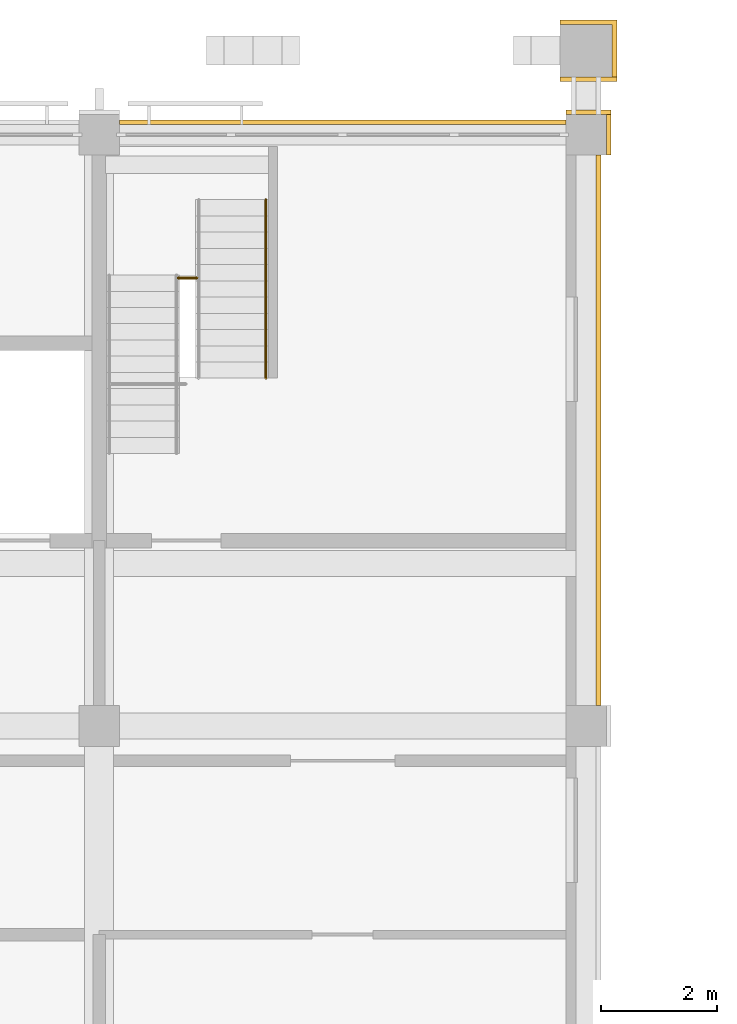
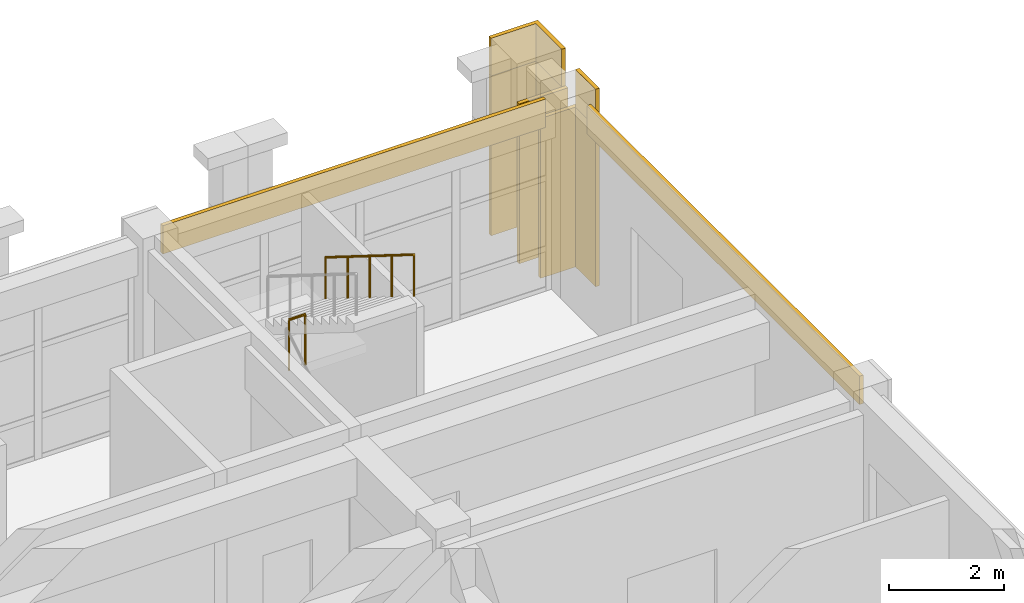
# One storey, part 95 of 99: 6 coverings, 2 railings.
"""IFC4 building model written with IfcOpenShell, lengths in metres."""

from ifc_helpers import new_model, si_unit, direction, frame, origin, origin_2d, place, context, subcontext, project, spatial, polyline, circle, outline, extrude, material, layer, layer_set, type_object, element, save


model = new_model("IFC4")

# Units and contexts
model_context = context("Model", 3, precision=1e-05, world=origin(), true_north=direction((0.0, 1.0)))
body_context = subcontext(model_context, "Body", "Model", "MODEL_VIEW")
ifc_project = project(units=[si_unit("LENGTHUNIT", "METRE"), si_unit("AREAUNIT", "SQUARE_METRE"), si_unit("VOLUMEUNIT", "CUBIC_METRE"), si_unit("PLANEANGLEUNIT", "RADIAN"), si_unit("MASSUNIT", "GRAM", prefix="KILO")], contexts=[model_context])

# Site, building, storey
site_placement = place(None, origin())
site = spatial("IfcSite", under=ifc_project, at=site_placement, CompositionType="ELEMENT")
building_placement = place(site_placement, origin())
building = spatial("IfcBuilding", under=site, at=building_placement, Name="Wasatch Bagh Community Centre", CompositionType="ELEMENT")
storey_placement = place(building_placement, frame((0.0, 0.0, 4.199951171875)))
storey = spatial("IfcBuildingStorey", under=building, at=storey_placement, Name="L01", CompositionType="ELEMENT", Elevation=4.199951171875)

# Coverings
ifc_material_1 = material(Name="Cast stone cladding", Category="masonry")
ifc_layer_1 = layer(ifc_material_1, 0.080078125)
ifc_layer_set_1 = layer_set([ifc_layer_1], Name="Cast stone cladding")
covering_type_1 = type_object("IfcCoveringType", Name="CL-B7 beam facing", PredefinedType="CLADDING", material=ifc_layer_set_1)
covering_1_placement = place(storey_placement, frame((0.0, 0.0, 3.320068359375)))
element("IfcCovering", 1, at=covering_1_placement, inside=storey, type_object=covering_type_1, Name="Beam facing", PredefinedType="CLADDING", context=body_context, shape_type="SweptSolid", body=[
    extrude(outline(polyline([(131.550048828125, 97.97509765625), (139.25, 97.97509765625), (139.25, 98.054931640625), (131.550048828125, 98.054931640625), (131.550048828125, 97.97509765625)])), origin(), (0.0, 0.0, 1.0), 0.60009765625),
])
covering_2_placement = place(storey_placement, frame((0.0, 0.0, 3.320068359375)))
element("IfcCovering", 2, at=covering_2_placement, inside=storey, type_object=covering_type_1, Name="Beam facing", PredefinedType="CLADDING", context=body_context, shape_type="SweptSolid", body=[
    extrude(outline(polyline([(139.77490234375, 87.949951171875), (139.77490234375, 97.449951171875), (139.85498046875, 97.449951171875), (139.85498046875, 87.949951171875), (139.77490234375, 87.949951171875)])), origin(), (0.0, 0.0, 1.0), 0.60009765625),
])
ifc_layer_2 = layer(ifc_material_1, 0.080078125)
ifc_layer_set_2 = layer_set([ifc_layer_2], Name="Cast stone cladding")
covering_type_2 = type_object("IfcCoveringType", Name="CL-C1 column facing", PredefinedType="CLADDING", material=ifc_layer_set_2)
covering_3_placement = place(storey_placement, origin())
element("IfcCovering", 3, at=covering_3_placement, inside=storey, type_object=covering_type_2, Name="Column facing", PredefinedType="CLADDING", context=body_context, shape_type="SweptSolid", body=[
    extrude(outline(polyline([(140.1298828125, 98.800048828125), (140.1298828125, 98.719970703125), (139.14990234375, 98.719970703125), (139.14990234375, 98.800048828125), (140.050048828125, 98.800048828125), (140.050048828125, 99.699951171875), (139.14990234375, 99.699951171875), (139.14990234375, 99.780029296875), (140.1298828125, 99.780029296875), (140.1298828125, 99.699951171875), (140.1298828125, 98.800048828125)])), origin(), (0.0, 0.0, 1.0), 3.400146484375),
])
covering_4_placement = place(storey_placement, frame((0.0, 0.0, 3.400146484375)))
element("IfcCovering", 4, at=covering_4_placement, inside=storey, type_object=covering_type_2, Name="Column facing", PredefinedType="CLADDING", context=body_context, shape_type="SweptSolid", body=[
    extrude(outline(polyline([(140.050048828125, 99.699951171875), (139.14990234375, 99.699951171875), (139.14990234375, 99.780029296875), (140.1298828125, 99.780029296875), (140.1298828125, 99.699951171875), (140.1298828125, 98.800048828125), (140.050048828125, 98.800048828125), (140.050048828125, 99.699951171875)])), origin(), (0.0, 0.0, 1.0), 0.7998046875),
])
covering_5_placement = place(storey_placement, origin())
element("IfcCovering", 5, at=covering_5_placement, inside=storey, type_object=covering_type_2, Name="Column facing", PredefinedType="CLADDING", context=body_context, shape_type="SweptSolid", body=[
    extrude(outline(polyline([(139.949951171875, 98.14990234375), (139.25, 98.14990234375), (139.25, 98.22998046875), (140.030029296875, 98.22998046875), (140.030029296875, 98.14990234375), (140.030029296875, 97.449951171875), (139.949951171875, 97.449951171875), (139.949951171875, 98.14990234375)])), origin(), (0.0, 0.0, 1.0), 3.400146484375),
])
covering_6_placement = place(storey_placement, frame((0.0, 0.0, 3.400146484375)))
element("IfcCovering", 6, at=covering_6_placement, inside=storey, type_object=covering_type_2, Name="Column facing", PredefinedType="CLADDING", context=body_context, shape_type="SweptSolid", body=[
    extrude(outline(polyline([(139.949951171875, 97.449951171875), (139.949951171875, 98.14990234375), (140.030029296875, 98.14990234375), (140.030029296875, 97.449951171875), (139.949951171875, 97.449951171875)])), origin(), (0.0, 0.0, 1.0), 0.7998046875),
])

# Railings
ifc_material_2 = material(Name="Painted steel with jali infill", Category="steel")
railing_type_1 = type_object("IfcRailingType", Name="LW guard 1100", PredefinedType="GUARDRAIL", material=ifc_material_2)
railing_1_placement = place(storey_placement, frame((132.56005859375, 95.330078125, 2.10009765625)))
element("IfcRailing", 7, at=railing_1_placement, inside=storey, type_object=railing_type_1, Name="Guard ES", PredefinedType="GUARDRAIL", context=body_context, shape_type="SweptSolid", body=[
    extrude(circle(Radius=0.02490234375, at=origin_2d()), frame((0.0, 0.0, 1.0751953125), z_axis=(1.0, 0.0, 0.0), x_axis=(0.0, 1.0, 0.0)), (0.0, 0.0, 1.0), 0.329833984375),
    extrude(circle(Radius=0.02001953125, at=origin_2d()), origin(), (0.0, 0.0, 1.0), 1.050048828125),
    extrude(circle(Radius=0.02001953125, at=origin_2d()), frame((0.329833984375, 0.0, 0.0)), (0.0, 0.0, 1.0), 1.050048828125),
])
ifc_material_3 = material(Name="Painted steel tube", Category="steel")
railing_type_2 = type_object("IfcRailingType", Name="LW stair handrail 900", PredefinedType="HANDRAIL", material=ifc_material_3)
railing_2_placement = place(storey_placement, frame((134.074951171875, 96.679931640625, 2.275146484375)))
element("IfcRailing", 8, at=railing_2_placement, inside=storey, type_object=railing_type_2, Name="Handrail ES", PredefinedType="HANDRAIL", context=body_context, shape_type="SweptSolid", body=[
    extrude(circle(Radius=0.0224609375, at=origin_2d()), frame((0.0, 0.0, 0.87744140625), z_axis=(0.0, -0.848009633417, 0.529980812513), x_axis=(1.0, 0.0, 0.0)), (0.0, 0.0, 1.0), 3.6318359375),
    extrude(circle(Radius=0.02001953125, at=origin_2d()), origin(), (0.0, 0.0, 1.0), 0.85498046875),
    extrude(circle(Radius=0.02001953125, at=origin_2d()), frame((0.0, -0.77001953125, 0.481201171875)), (0.0, 0.0, 1.0), 0.85498046875),
    extrude(circle(Radius=0.02001953125, at=origin_2d()), frame((0.0, -1.5400390625, 0.96240234375)), (0.0, 0.0, 1.0), 0.85498046875),
    extrude(circle(Radius=0.02001953125, at=origin_2d()), frame((0.0, -2.309814453125, 1.443603515625)), (0.0, 0.0, 1.0), 0.85498046875),
    extrude(circle(Radius=0.02001953125, at=origin_2d()), frame((0.0, -3.079833984375, 1.9248046875)), (0.0, 0.0, 1.0), 0.85498046875),
])

save(model, "model.ifc")
